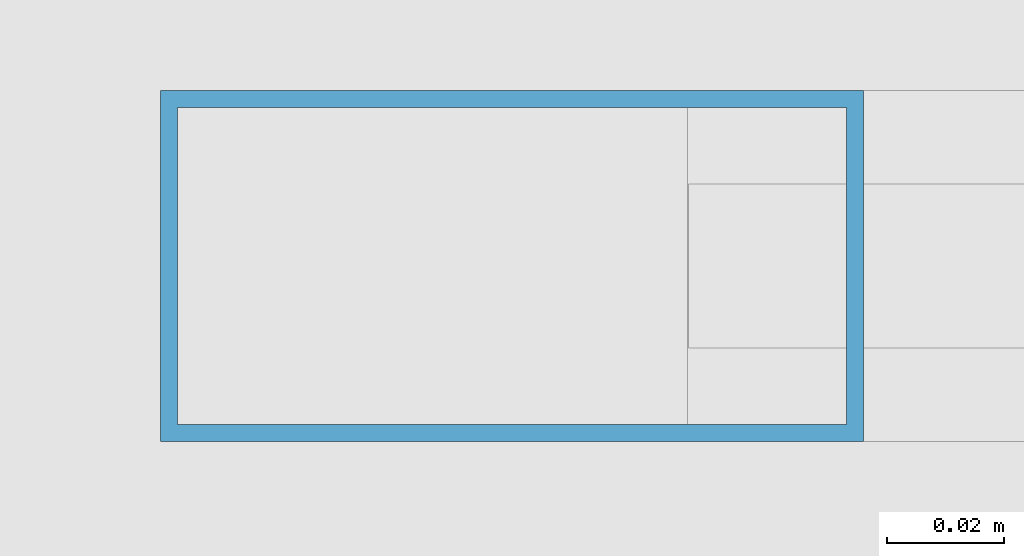
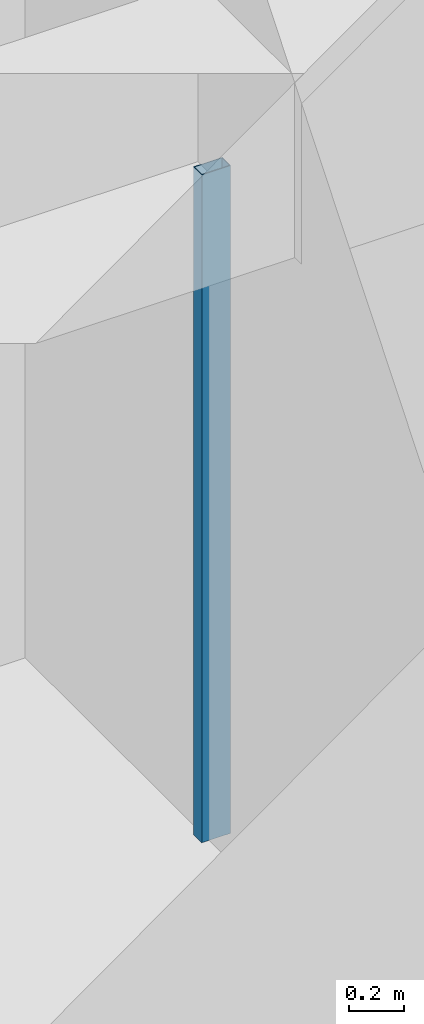
# One storey, part 3 of 40: 1 member, 1 element without a shape of its own.
"""IFC4 building model written with IfcOpenShell, lengths in metres."""

from ifc_helpers import new_model, si_unit, direction, frame, origin, origin_2d, place, context, subcontext, project, spatial, hollow_rectangle, extrude, material, material_profile, profile_set, type_object, element, aggregate, save


model = new_model("IFC4")

# Units and contexts
model_context = context("Model", 3, precision=1e-05, world=origin(), true_north=direction((0.0, 1.0)))
body_context = subcontext(model_context, "Body", "Model", "MODEL_VIEW")
ifc_project = project(units=[si_unit("LENGTHUNIT", "METRE"), si_unit("AREAUNIT", "SQUARE_METRE"), si_unit("VOLUMEUNIT", "CUBIC_METRE"), si_unit("PLANEANGLEUNIT", "RADIAN"), si_unit("MASSUNIT", "GRAM", prefix="KILO")], contexts=[model_context])

# Site, building, storey
site_placement = place(None, origin())
site = spatial("IfcSite", under=ifc_project, at=site_placement, CompositionType="ELEMENT")
building_placement = place(site_placement, origin())
building = spatial("IfcBuilding", under=site, at=building_placement, Name="Zorevar Civic Tower", CompositionType="ELEMENT")
storey_placement = place(building_placement, frame((0.0, 0.0, 239.39990234375)))
storey = spatial("IfcBuildingStorey", under=building, at=storey_placement, Name="L58", CompositionType="ELEMENT", Elevation=239.39990234375)

# Curtain wall, member
ifc_material_1 = material(Name="Dark grey solar-control glass in black aluminium frame", Category="aluminium")
curtain_wall_type = type_object("IfcCurtainWallType", Name="Curtain wall CW5 top zone", PredefinedType="NOTDEFINED", material=ifc_material_1)
curtain_wall_placement = place(storey_placement, origin())
curtain_wall = element("IfcCurtainWall", 1, at=curtain_wall_placement, inside=storey, type_object=curtain_wall_type, Name="CW5 L58", PredefinedType="NOTDEFINED")
ifc_material_2 = material(Name="Aluminium, black anodised", Category="aluminium")
ifc_material_profile = material_profile(ifc_material_2, hollow_rectangle(XDim=0.06005859375, YDim=0.1201171875, WallThickness=0.0029296875, at=origin_2d()), Name="AL 120x60x3")
ifc_profile_set = profile_set([ifc_material_profile], Name="Aluminium, black anodised")
member_type = type_object("IfcMemberType", Name="CW5 mullion AL 120x60x3", PredefinedType="MULLION", material=ifc_profile_set)
member_placement = place(storey_placement, frame((19.6298828125, 0.300048828125, 0.0), z_axis=(0.0, 0.0, 1.0), x_axis=(0.0, 1.0, 0.0)))
member = element("IfcMember", 2, at=member_placement, type_object=member_type, Name="CW5 mullion 1", PredefinedType="MULLION", context=body_context, shape_type="SweptSolid", body=[
    extrude(hollow_rectangle(XDim=0.06005859375, YDim=0.1201171875, WallThickness=0.0029296875, at=origin_2d()), origin(), (0.0, 0.0, 1.0), 2.9501953125),
])
aggregate(curtain_wall, [member])

save(model, "model.ifc")
